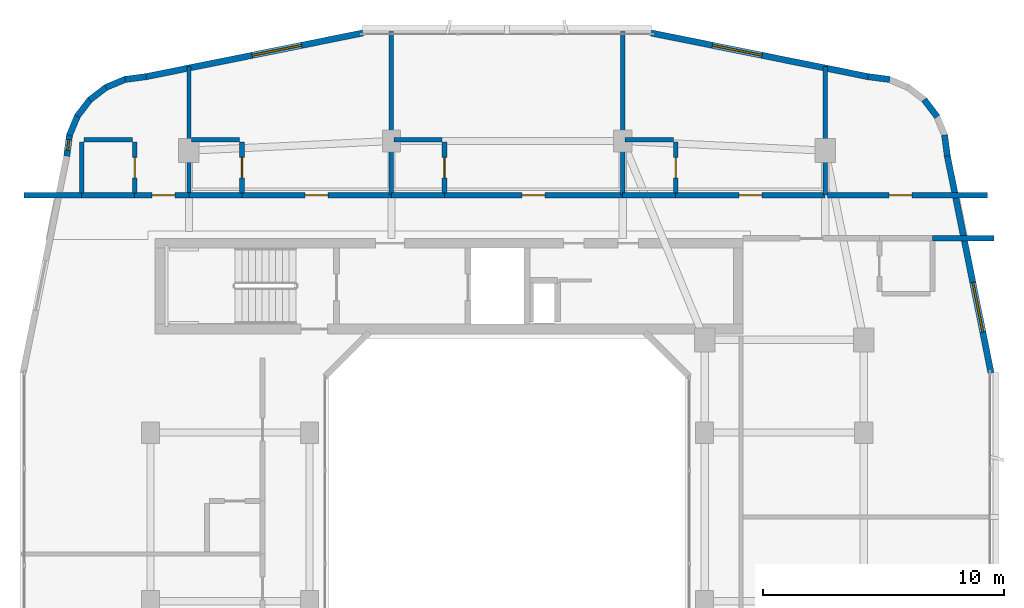
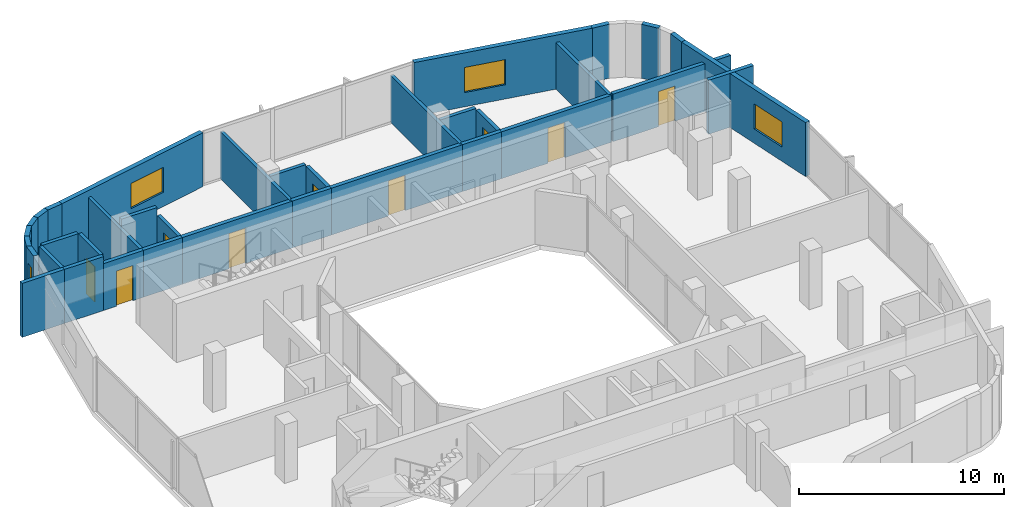
# One storey, part 9 of 14: 36 walls, 9 doors, 4 windows, 13 openings.
"""IFC4 building model written with IfcOpenShell, lengths in metres."""

from ifc_helpers import new_model, si_unit, derived_unit, direction, frame, frame_2d, origin, place, context, subcontext, project, spatial, rectangle, extrude, material, layer, layer_set, type_object, element, fill, save


model = new_model("IFC4")

# Units and contexts
model_context = context("Model", 3, precision=1e-05, world=origin(), true_north=direction((0.0, 1.0)))
body_context = subcontext(model_context, "Body", "Model", "MODEL_VIEW")
ifc_project = project(units=[si_unit("LENGTHUNIT", "METRE"), si_unit("AREAUNIT", "SQUARE_METRE"), si_unit("VOLUMEUNIT", "CUBIC_METRE"), si_unit("PLANEANGLEUNIT", "RADIAN"), si_unit("MASSUNIT", "GRAM", prefix="KILO"), derived_unit("THERMALTRANSMITTANCEUNIT", [(si_unit("POWERUNIT", "WATT"), 1), (si_unit("LENGTHUNIT", "METRE"), -2), (si_unit("THERMODYNAMICTEMPERATUREUNIT", "KELVIN"), -1)])], contexts=[model_context])

# Site, building, storey
site_placement = place(None, origin())
site = spatial("IfcSite", under=ifc_project, at=site_placement, CompositionType="ELEMENT")
building_placement = place(site_placement, origin())
building = spatial("IfcBuilding", under=site, at=building_placement, Name="Kivonza Crest Hotel", CompositionType="ELEMENT")
storey_placement = place(building_placement, frame((0.0, 0.0, 152.0)))
storey = spatial("IfcBuildingStorey", under=building, at=storey_placement, Name="L41", CompositionType="ELEMENT", Elevation=152.0)

# Walls
ifc_material_1 = material(Name="High-density acoustic masonry inter-tenancy wall", Category="masonry")
ifc_layer_1 = layer(ifc_material_1, 0.179931640625)
ifc_layer_set_1 = layer_set([ifc_layer_1], Name="High-density acoustic masonry inter-tenancy wall")
wall_type_1 = type_object("IfcWallType", Name="WL-ACOU-180", PredefinedType="SOLIDWALL", material=ifc_layer_set_1)
wall_1_placement = place(storey_placement, frame((7.800048828125, 38.35009765625, 0.0), z_axis=(0.0, 0.0, 1.0), x_axis=(0.0, 1.0, 0.0)))
element("IfcWall", 1, at=wall_1_placement, inside=storey, type_object=wall_type_1, Name="L41 interior partition WA-L41-T1N-DIV1", PredefinedType="SOLIDWALL", context=body_context, shape_type="SweptSolid", body=[
    extrude(rectangle(XDim=5.350830078125, YDim=0.179931640625, at=frame_2d((2.67529296875, 0.0))), origin(), (0.0, 0.0, 1.0), 2.794921875),
])
for number, where, z_axis, x_axis, name in (
    (2, (16.199951171875, 38.35009765625, 0.0), (0.0, 0.0, 1.0), (0.0, 1.0, 0.0), "L41 interior partition WA-L41-T1N-DIV2"),
    (3, (25.800048828125, 38.35009765625, 0.0), (0.0, 0.0, 1.0), (0.0, 1.0, 0.0), "L41 interior partition WA-L41-T1N-DIV3"),
):
    element("IfcWall", number, at=place(storey_placement, frame(where, z_axis=z_axis, x_axis=x_axis)), inside=storey, type_object=wall_type_1, Name=name, PredefinedType="SOLIDWALL", context=body_context, shape_type="SweptSolid", body=[
        extrude(rectangle(XDim=6.789794921875, YDim=0.179931640625, at=frame_2d((3.39501953125, 0.0))), origin(), (0.0, 0.0, 1.0), 2.794921875),
    ])
wall_2_placement = place(storey_placement, frame((34.199951171875, 38.35009765625, 0.0), z_axis=(0.0, 0.0, 1.0), x_axis=(0.0, 1.0, 0.0)))
element("IfcWall", 4, at=wall_2_placement, inside=storey, type_object=wall_type_1, Name="L41 interior partition WA-L41-T1N-DIV4", PredefinedType="SOLIDWALL", context=body_context, shape_type="SweptSolid", body=[
    extrude(rectangle(XDim=5.350830078125, YDim=0.179931640625, at=frame_2d((2.67529296875, 0.0))), origin(), (0.0, 0.0, 1.0), 2.794921875),
])
ifc_material_2 = material(Name="Autoclaved aerated concrete blockwork", Category="masonry")
ifc_layer_2 = layer(ifc_material_2, 0.219970703125)
ifc_layer_set_2 = layer_set([ifc_layer_2], Name="Autoclaved aerated concrete blockwork")
wall_type_2 = type_object("IfcWallType", Name="WL-ACOU-220", PredefinedType="SOLIDWALL", material=ifc_layer_set_2)
wall_3_placement = place(storey_placement, frame((0.9599609375, 38.35009765625, 0.0), z_axis=(0.0, 0.0, 1.0), x_axis=(1.0, 0.0, 0.0)))
element("IfcWall", 5, at=wall_3_placement, inside=storey, type_object=wall_type_2, Name="L41 interior partition WA-L41-N01-XCORR", PredefinedType="SOLIDWALL", context=body_context, shape_type="SweptSolid", body=[
    extrude(rectangle(XDim=2.39013671875, YDim=0.219970703125, at=frame_2d((1.195068359375, 0.0))), origin(), (0.0, 0.0, 1.0), 3.219970703125),
])
wall_4_placement = place(storey_placement, frame((3.35009765625, 38.35009765625, 0.0), z_axis=(0.0, 0.0, 1.0), x_axis=(1.0, 0.0, 0.0)))
element("IfcWall", 6, at=wall_4_placement, inside=storey, type_object=wall_type_2, Name="L41 interior partition WA-L41-N01-BCORR", PredefinedType="SOLIDWALL", context=body_context, shape_type="SweptSolid", body=[
    extrude(rectangle(XDim=2.199951171875, YDim=0.219970703125, at=frame_2d((1.10009765625, 0.0))), origin(), (0.0, 0.0, 1.0), 3.219970703125),
])

# Wall, opening, door
wall_5_placement = place(storey_placement, frame((5.550048828125, 38.35009765625, 0.0), z_axis=(0.0, 0.0, 1.0), x_axis=(1.0, 0.0, 0.0)))
wall_5 = element("IfcWall", 7, at=wall_5_placement, inside=storey, type_object=wall_type_2, Name="L41 interior partition WA-L41-N01-MCORR", PredefinedType="SOLIDWALL", context=body_context, shape_type="SweptSolid", body=[
    extrude(rectangle(XDim=2.25, YDim=0.219970703125, at=frame_2d((1.125, 0.0))), origin(), (0.0, 0.0, 1.0), 2.794921875),
])
opening_1_placement = place(wall_5_placement, frame((0.719970703125, 0.0, 0.0)))
opening_1 = element("IfcOpeningElement", 8, at=opening_1_placement, cuts=wall_5, Name="Opening DU-60", PredefinedType="OPENING", context=body_context, shape_type="SweptSolid", body=[
    extrude(rectangle(XDim=0.949951171875, YDim=2.10009765625, at=frame_2d((0.47509765625, 1.050048828125))), frame((0.0, 0.1201171875, 0.0), z_axis=(0.0, -1.0, 0.0), x_axis=(1.0, 0.0, 0.0)), (0.0, 0.0, 1.0), 0.239990234375),
])
ifc_material_3 = material(Name="Hardwood timber oak", Category="wood")
door_type_1 = type_object("IfcDoorType", Name="DR-UNIT-950", OperationType="NOTDEFINED", PredefinedType="DOOR", material=ifc_material_3)
door_1_placement = place(opening_1_placement, origin())
door_1 = element("IfcDoor", 9, at=door_1_placement, inside=storey, type_object=door_type_1, Name="L41 N01 guest unit entrance fire door", OperationType="SINGLE_SWING_LEFT", OverallHeight=2.10009765625, OverallWidth=0.949951171875, PredefinedType="DOOR", context=body_context, shape_type="SweptSolid", body=[
    extrude(rectangle(XDim=0.949951171875, YDim=2.10009765625, at=frame_2d((0.47509765625, 1.050048828125))), frame((0.0, 0.02490234375, 0.0), z_axis=(0.0, -1.0, 0.0), x_axis=(1.0, 0.0, 0.0)), (0.0, 0.0, 1.0), 0.050048828125),
])
fill(opening_1, door_1)

# Wall
wall_6_placement = place(storey_placement, frame((7.800048828125, 38.35009765625, 0.0), z_axis=(0.0, 0.0, 1.0), x_axis=(1.0, 0.0, 0.0)))
element("IfcWall", 10, at=wall_6_placement, inside=storey, type_object=wall_type_2, Name="L41 interior partition WA-L41-N02-BCORR", PredefinedType="SOLIDWALL", context=body_context, shape_type="SweptSolid", body=[
    extrude(rectangle(XDim=2.199951171875, YDim=0.219970703125, at=frame_2d((1.10009765625, 0.0))), origin(), (0.0, 0.0, 1.0), 2.794921875),
])

# Wall, opening, door
wall_7_placement = place(storey_placement, frame((10.0, 38.35009765625, 0.0), z_axis=(0.0, 0.0, 1.0), x_axis=(1.0, 0.0, 0.0)))
wall_7 = element("IfcWall", 11, at=wall_7_placement, inside=storey, type_object=wall_type_2, Name="L41 interior partition WA-L41-N02-MCORR", PredefinedType="SOLIDWALL", context=body_context, shape_type="SweptSolid", body=[
    extrude(rectangle(XDim=6.199951171875, YDim=0.219970703125, at=frame_2d((3.10009765625, 0.0))), origin(), (0.0, 0.0, 1.0), 2.794921875),
])
opening_2_placement = place(wall_7_placement, frame((2.625, 0.0, 0.0)))
opening_2 = element("IfcOpeningElement", 12, at=opening_2_placement, cuts=wall_7, Name="Opening DU-60", PredefinedType="OPENING", context=body_context, shape_type="SweptSolid", body=[
    extrude(rectangle(XDim=0.949951171875, YDim=2.10009765625, at=frame_2d((0.47509765625, 1.050048828125))), frame((0.0, 0.1201171875, 0.0), z_axis=(0.0, -1.0, 0.0), x_axis=(1.0, 0.0, 0.0)), (0.0, 0.0, 1.0), 0.239990234375),
])
door_2_placement = place(opening_2_placement, origin())
door_2 = element("IfcDoor", 13, at=door_2_placement, inside=storey, type_object=door_type_1, Name="L41 N02 guest unit entrance fire door", OperationType="SINGLE_SWING_RIGHT", OverallHeight=2.10009765625, OverallWidth=0.949951171875, PredefinedType="DOOR", context=body_context, shape_type="SweptSolid", body=[
    extrude(rectangle(XDim=0.949951171875, YDim=2.10009765625, at=frame_2d((0.47509765625, 1.050048828125))), frame((0.0, 0.02490234375, 0.0), z_axis=(0.0, -1.0, 0.0), x_axis=(1.0, 0.0, 0.0)), (0.0, 0.0, 1.0), 0.050048828125),
])
fill(opening_2, door_2)

# Wall
wall_8_placement = place(storey_placement, frame((16.199951171875, 38.35009765625, 0.0), z_axis=(0.0, 0.0, 1.0), x_axis=(1.0, 0.0, 0.0)))
element("IfcWall", 14, at=wall_8_placement, inside=storey, type_object=wall_type_2, Name="L41 interior partition WA-L41-N03-BCORR", PredefinedType="SOLIDWALL", context=body_context, shape_type="SweptSolid", body=[
    extrude(rectangle(XDim=2.199951171875, YDim=0.219970703125, at=frame_2d((1.10009765625, 0.0))), origin(), (0.0, 0.0, 1.0), 2.794921875),
])

# Wall, opening, door
wall_9_placement = place(storey_placement, frame((18.39990234375, 38.35009765625, 0.0), z_axis=(0.0, 0.0, 1.0), x_axis=(1.0, 0.0, 0.0)))
wall_9 = element("IfcWall", 15, at=wall_9_placement, inside=storey, type_object=wall_type_2, Name="L41 interior partition WA-L41-N03-MCORR", PredefinedType="SOLIDWALL", context=body_context, shape_type="SweptSolid", body=[
    extrude(rectangle(XDim=7.400146484375, YDim=0.219970703125, at=frame_2d((3.7001953125, 0.0))), origin(), (0.0, 0.0, 1.0), 2.794921875),
])
opening_3_placement = place(wall_9_placement, frame((3.22509765625, 0.0, 0.0)))
opening_3 = element("IfcOpeningElement", 16, at=opening_3_placement, cuts=wall_9, Name="Opening DU-60", PredefinedType="OPENING", context=body_context, shape_type="SweptSolid", body=[
    extrude(rectangle(XDim=0.949951171875, YDim=2.10009765625, at=frame_2d((0.47509765625, 1.050048828125))), frame((0.0, 0.1201171875, 0.0), z_axis=(0.0, -1.0, 0.0), x_axis=(1.0, 0.0, 0.0)), (0.0, 0.0, 1.0), 0.239990234375),
])
door_3_placement = place(opening_3_placement, origin())
door_3 = element("IfcDoor", 17, at=door_3_placement, inside=storey, type_object=door_type_1, Name="L41 N03 guest unit entrance fire door", OperationType="SINGLE_SWING_LEFT", OverallHeight=2.10009765625, OverallWidth=0.949951171875, PredefinedType="DOOR", context=body_context, shape_type="SweptSolid", body=[
    extrude(rectangle(XDim=0.949951171875, YDim=2.10009765625, at=frame_2d((0.47509765625, 1.050048828125))), frame((0.0, 0.02490234375, 0.0), z_axis=(0.0, -1.0, 0.0), x_axis=(1.0, 0.0, 0.0)), (0.0, 0.0, 1.0), 0.050048828125),
])
fill(opening_3, door_3)

# Wall
wall_10_placement = place(storey_placement, frame((25.800048828125, 38.35009765625, 0.0), z_axis=(0.0, 0.0, 1.0), x_axis=(1.0, 0.0, 0.0)))
element("IfcWall", 18, at=wall_10_placement, inside=storey, type_object=wall_type_2, Name="L41 interior partition WA-L41-N04-BCORR", PredefinedType="SOLIDWALL", context=body_context, shape_type="SweptSolid", body=[
    extrude(rectangle(XDim=2.199951171875, YDim=0.219970703125, at=frame_2d((1.10009765625, 0.0))), origin(), (0.0, 0.0, 1.0), 2.794921875),
])

# Wall, opening, door
wall_11_placement = place(storey_placement, frame((28.0, 38.35009765625, 0.0), z_axis=(0.0, 0.0, 1.0), x_axis=(1.0, 0.0, 0.0)))
wall_11 = element("IfcWall", 19, at=wall_11_placement, inside=storey, type_object=wall_type_2, Name="L41 interior partition WA-L41-N04-MCORR", PredefinedType="SOLIDWALL", context=body_context, shape_type="SweptSolid", body=[
    extrude(rectangle(XDim=6.199951171875, YDim=0.219970703125, at=frame_2d((3.10009765625, 0.0))), origin(), (0.0, 0.0, 1.0), 2.794921875),
])
opening_4_placement = place(wall_11_placement, frame((2.625, 0.0, 0.0)))
opening_4 = element("IfcOpeningElement", 20, at=opening_4_placement, cuts=wall_11, Name="Opening DU-60", PredefinedType="OPENING", context=body_context, shape_type="SweptSolid", body=[
    extrude(rectangle(XDim=0.949951171875, YDim=2.10009765625, at=frame_2d((0.47509765625, 1.050048828125))), frame((0.0, 0.1201171875, 0.0), z_axis=(0.0, -1.0, 0.0), x_axis=(1.0, 0.0, 0.0)), (0.0, 0.0, 1.0), 0.239990234375),
])
door_4_placement = place(opening_4_placement, origin())
door_4 = element("IfcDoor", 21, at=door_4_placement, inside=storey, type_object=door_type_1, Name="L41 N04 guest unit entrance fire door", OperationType="SINGLE_SWING_RIGHT", OverallHeight=2.10009765625, OverallWidth=0.949951171875, PredefinedType="DOOR", context=body_context, shape_type="SweptSolid", body=[
    extrude(rectangle(XDim=0.949951171875, YDim=2.10009765625, at=frame_2d((0.47509765625, 1.050048828125))), frame((0.0, 0.02490234375, 0.0), z_axis=(0.0, -1.0, 0.0), x_axis=(1.0, 0.0, 0.0)), (0.0, 0.0, 1.0), 0.050048828125),
])
fill(opening_4, door_4)

wall_12_placement = place(storey_placement, frame((34.300048828125, 38.35009765625, 0.0), z_axis=(0.0, 0.0, 1.0), x_axis=(1.0, 0.0, 0.0)))
wall_12 = element("IfcWall", 22, at=wall_12_placement, inside=storey, type_object=wall_type_2, Name="L41 interior partition WA-L41-N-AMEN-S", PredefinedType="SOLIDWALL", context=body_context, shape_type="SweptSolid", body=[
    extrude(rectangle(XDim=6.639892578125, YDim=0.219970703125, at=frame_2d((3.31982421875, 0.0))), origin(), (0.0, 0.0, 1.0), 2.8349609375),
])
opening_5_placement = place(wall_12_placement, frame((2.550048828125, 0.0, 0.0)))
opening_5 = element("IfcOpeningElement", 23, at=opening_5_placement, cuts=wall_12, Name="Opening DF-60S", PredefinedType="OPENING", context=body_context, shape_type="SweptSolid", body=[
    extrude(rectangle(XDim=0.949951171875, YDim=2.10009765625, at=frame_2d((0.47509765625, 1.050048828125))), frame((0.0, 0.1201171875, 0.0), z_axis=(0.0, -1.0, 0.0), x_axis=(1.0, 0.0, 0.0)), (0.0, 0.0, 1.0), 0.239990234375),
])
door_type_2 = type_object("IfcDoorType", Name="DR-FD60-950", OperationType="NOTDEFINED", PredefinedType="DOOR", material=ifc_material_3)
door_5_placement = place(opening_5_placement, origin())
door_5 = element("IfcDoor", 24, at=door_5_placement, inside=storey, type_object=door_type_2, Name="L41 Private Fitness Gym Studio door", OperationType="SINGLE_SWING_LEFT", OverallHeight=2.10009765625, OverallWidth=0.949951171875, PredefinedType="DOOR", context=body_context, shape_type="SweptSolid", body=[
    extrude(rectangle(XDim=0.949951171875, YDim=2.10009765625, at=frame_2d((0.47509765625, 1.050048828125))), frame((0.0, 0.02490234375, 0.0), z_axis=(0.0, -1.0, 0.0), x_axis=(1.0, 0.0, 0.0)), (0.0, 0.0, 1.0), 0.050048828125),
])
fill(opening_5, door_5)

# Wall
wall_13_placement = place(storey_placement, frame((38.64990234375, 36.56005859375, 0.0), z_axis=(0.0, 0.0, 1.0), x_axis=(1.0, 0.0, 0.0)))
element("IfcWall", 25, at=wall_13_placement, inside=storey, type_object=wall_type_2, Name="L41 interior partition WA-L41-EN10-XCORR", PredefinedType="SOLIDWALL", context=body_context, shape_type="SweptSolid", body=[
    extrude(rectangle(XDim=2.550048828125, YDim=0.219970703125, at=frame_2d((1.27490234375, 0.0))), origin(), (0.0, 0.0, 1.0), 3.219970703125),
])

# Wall, opening, window
ifc_material_4 = material(Name="Precast concrete C40/50", Category="concrete")
ifc_layer_3 = layer(ifc_material_4, 0.260009765625)
ifc_layer_set_3 = layer_set([ifc_layer_3], Name="Precast concrete C40/50")
wall_type_3 = type_object("IfcWallType", Name="WL-EXT-260", PredefinedType="STANDARD", material=ifc_layer_set_3)
wall_14_placement = place(storey_placement, frame((41.083984375, 30.97998046875, 0.0), z_axis=(0.0, 0.0, 1.0), x_axis=(-0.197435082048, 0.980315963543, 0.0)))
wall_14 = element("IfcWall", 26, at=wall_14_placement, inside=storey, type_object=wall_type_3, Name="L41 T1 exterior insulated wall 18", PredefinedType="STANDARD", context=body_context, shape_type="SweptSolid", body=[
    extrude(rectangle(XDim=9.1826171875, YDim=0.260009765625, at=frame_2d((4.59130859375, 0.0))), origin(), (0.0, 0.0, 1.0), 3.219970703125),
])
opening_6_placement = place(wall_14_placement, frame((1.73388671875, 0.0, 0.85009765625)))
opening_6 = element("IfcOpeningElement", 27, at=opening_6_placement, cuts=wall_14, Name="Opening WN-04", PredefinedType="OPENING", context=body_context, shape_type="SweptSolid", body=[
    extrude(rectangle(XDim=2.10009765625, YDim=1.5, at=frame_2d((1.050048828125, 0.75))), frame((0.0, 0.14013671875, 0.0), z_axis=(0.0, -1.0, 0.0), x_axis=(1.0, 0.0, 0.0)), (0.0, 0.0, 1.0), 0.280029296875),
])
ifc_material_5 = material(Name="Thermally broken bronze aluminium and low-E double glazing", Category="aluminium")
window_type_1 = type_object("IfcWindowType", Name="WN-210x150", PartitioningType="DOUBLE_PANEL_VERTICAL", PredefinedType="WINDOW", material=ifc_material_5)
window_1_placement = place(opening_6_placement, origin())
window_1 = element("IfcWindow", 28, at=window_1_placement, inside=storey, type_object=window_type_1, Name="L41 T1 facade window 18", OverallHeight=1.5, OverallWidth=2.10009765625, PartitioningType="SINGLE_PANEL", PredefinedType="WINDOW", context=body_context, shape_type="SweptSolid", body=[
    extrude(rectangle(XDim=2.10009765625, YDim=1.5, at=frame_2d((1.050048828125, 0.75))), frame((0.0, 0.030029296875, 0.0), z_axis=(0.0, -1.0, 0.0), x_axis=(1.0, 0.0, 0.0)), (0.0, 0.0, 1.0), 0.06005859375),
])
fill(opening_6, window_1)

# Walls
wall_15_placement = place(storey_placement, frame((39.27197265625, 39.97509765625, 0.0), z_axis=(0.0, 0.0, 1.0), x_axis=(-0.130953706898, 0.991388484223, 0.0)))
element("IfcWall", 29, at=wall_15_placement, inside=storey, type_object=wall_type_3, Name="L41 T1 exterior insulated wall 19", PredefinedType="STANDARD", context=body_context, shape_type="SweptSolid", body=[
    extrude(rectangle(XDim=0.885498046875, YDim=0.260009765625, at=frame_2d((0.44287109375, 0.0))), origin(), (0.0, 0.0, 1.0), 3.219970703125),
])
wall_16_placement = place(storey_placement, frame((38.85595703125, 41.60107421875, 0.0), z_axis=(0.0, 0.0, 1.0), x_axis=(-0.608624690463, 0.793458244748, 0.0)))
element("IfcWall", 30, at=wall_16_placement, inside=storey, type_object=wall_type_3, Name="L41 T1 exterior insulated wall 21", PredefinedType="STANDARD", context=body_context, shape_type="SweptSolid", body=[
    extrude(rectangle(XDim=0.902099609375, YDim=0.260009765625, at=frame_2d((0.451171875, 0.0))), origin(), (0.0, 0.0, 1.0), 3.219970703125),
])
wall_17_placement = place(storey_placement, frame((36.887939453125, 43.152099609375, 0.0), z_axis=(0.0, 0.0, 1.0), x_axis=(-0.991487658083, 0.130200706103, 0.0)))
element("IfcWall", 31, at=wall_17_placement, inside=storey, type_object=wall_type_3, Name="L41 T1 exterior insulated wall 24", PredefinedType="STANDARD", context=body_context, shape_type="SweptSolid", body=[
    extrude(rectangle(XDim=0.920654296875, YDim=0.260009765625, at=frame_2d((0.46044921875, 0.0))), origin(), (0.0, 0.0, 1.0), 3.219970703125),
])

# Wall, opening, window
wall_18_placement = place(storey_placement, frame((35.98193359375, 43.27099609375, 0.0), z_axis=(0.0, 0.0, 1.0), x_axis=(-0.980315963543, 0.197435082048, 0.0)))
wall_18 = element("IfcWall", 32, at=wall_18_placement, inside=storey, type_object=wall_type_3, Name="L41 T1 exterior insulated wall 25", PredefinedType="STANDARD", context=body_context, shape_type="SweptSolid", body=[
    extrude(rectangle(XDim=9.1826171875, YDim=0.260009765625, at=frame_2d((4.59130859375, 0.0))), origin(), (0.0, 0.0, 1.0), 3.219970703125),
])
opening_7_placement = place(wall_18_placement, frame((4.487060546875, 0.0, 0.85009765625)))
opening_7 = element("IfcOpeningElement", 33, at=opening_7_placement, cuts=wall_18, Name="Opening WN-04", PredefinedType="OPENING", context=body_context, shape_type="SweptSolid", body=[
    extrude(rectangle(XDim=2.10009765625, YDim=1.5, at=frame_2d((1.050048828125, 0.75))), frame((0.0, 0.14013671875, 0.0), z_axis=(0.0, -1.0, 0.0), x_axis=(1.0, 0.0, 0.0)), (0.0, 0.0, 1.0), 0.280029296875),
])
window_2_placement = place(opening_7_placement, origin())
window_2 = element("IfcWindow", 34, at=window_2_placement, inside=storey, type_object=window_type_1, Name="L41 T1 facade window 25", OverallHeight=1.5, OverallWidth=2.10009765625, PartitioningType="SINGLE_PANEL", PredefinedType="WINDOW", context=body_context, shape_type="SweptSolid", body=[
    extrude(rectangle(XDim=2.10009765625, YDim=1.5, at=frame_2d((1.050048828125, 0.75))), frame((0.0, 0.030029296875, 0.0), z_axis=(0.0, -1.0, 0.0), x_axis=(1.0, 0.0, 0.0)), (0.0, 0.0, 1.0), 0.06005859375),
])
fill(opening_7, window_2)

wall_19_placement = place(storey_placement, frame((15.02001953125, 45.083984375, 0.0), z_axis=(0.0, 0.0, 1.0), x_axis=(-0.980315963543, -0.197435082048, 0.0)))
wall_19 = element("IfcWall", 35, at=wall_19_placement, inside=storey, type_object=wall_type_3, Name="L41 T1 exterior insulated wall 27", PredefinedType="STANDARD", context=body_context, shape_type="SweptSolid", body=[
    extrude(rectangle(XDim=9.1826171875, YDim=0.260009765625, at=frame_2d((4.59130859375, 0.0))), origin(), (0.0, 0.0, 1.0), 3.219970703125),
])
opening_8_placement = place(wall_19_placement, frame((2.594970703125, 0.0, 0.85009765625)))
opening_8 = element("IfcOpeningElement", 36, at=opening_8_placement, cuts=wall_19, Name="Opening WN-04", PredefinedType="OPENING", context=body_context, shape_type="SweptSolid", body=[
    extrude(rectangle(XDim=2.10009765625, YDim=1.5, at=frame_2d((1.050048828125, 0.75))), frame((0.0, 0.14013671875, 0.0), z_axis=(0.0, -1.0, 0.0), x_axis=(1.0, 0.0, 0.0)), (0.0, 0.0, 1.0), 0.280029296875),
])
window_3_placement = place(opening_8_placement, origin())
window_3 = element("IfcWindow", 37, at=window_3_placement, inside=storey, type_object=window_type_1, Name="L41 T1 facade window 27", OverallHeight=1.5, OverallWidth=2.10009765625, PartitioningType="SINGLE_PANEL", PredefinedType="WINDOW", context=body_context, shape_type="SweptSolid", body=[
    extrude(rectangle(XDim=2.10009765625, YDim=1.5, at=frame_2d((1.050048828125, 0.75))), frame((0.0, 0.030029296875, 0.0), z_axis=(0.0, -1.0, 0.0), x_axis=(1.0, 0.0, 0.0)), (0.0, 0.0, 1.0), 0.06005859375),
])
fill(opening_8, window_3)

# Walls
wall_20_placement = place(storey_placement, frame((6.02490234375, 43.27197265625, 0.0), z_axis=(0.0, 0.0, 1.0), x_axis=(-0.991388484223, -0.130953706898, 0.0)))
element("IfcWall", 38, at=wall_20_placement, inside=storey, type_object=wall_type_3, Name="L41 T1 exterior insulated wall 28", PredefinedType="STANDARD", context=body_context, shape_type="SweptSolid", body=[
    extrude(rectangle(XDim=0.885498046875, YDim=0.260009765625, at=frame_2d((0.44287109375, 0.0))), origin(), (0.0, 0.0, 1.0), 3.219970703125),
])
wall_21_placement = place(storey_placement, frame((5.193115234375, 43.174072265625, 0.0), z_axis=(0.0, 0.0, 1.0), x_axis=(-0.923627776508, -0.383290660547, 0.0)))
element("IfcWall", 39, at=wall_21_placement, inside=storey, type_object=wall_type_3, Name="L41 T1 exterior insulated wall 29", PredefinedType="STANDARD", context=body_context, shape_type="SweptSolid", body=[
    extrude(rectangle(XDim=0.9033203125, YDim=0.260009765625, at=frame_2d((0.45166015625, 0.0))), origin(), (0.0, 0.0, 1.0), 3.219970703125),
])
wall_22_placement = place(storey_placement, frame((4.39892578125, 42.85595703125, 0.0), z_axis=(0.0, 0.0, 1.0), x_axis=(-0.793458244748, -0.608624690463, 0.0)))
element("IfcWall", 40, at=wall_22_placement, inside=storey, type_object=wall_type_3, Name="L41 T1 exterior insulated wall 30", PredefinedType="STANDARD", context=body_context, shape_type="SweptSolid", body=[
    extrude(rectangle(XDim=0.902099609375, YDim=0.260009765625, at=frame_2d((0.451171875, 0.0))), origin(), (0.0, 0.0, 1.0), 3.219970703125),
])
wall_23_placement = place(storey_placement, frame((3.714111328125, 42.344970703125, 0.0), z_axis=(0.0, 0.0, 1.0), x_axis=(-0.608494022858, -0.793558456666, 0.0)))
element("IfcWall", 41, at=wall_23_placement, inside=storey, type_object=wall_type_3, Name="L41 T1 exterior insulated wall 31", PredefinedType="STANDARD", context=body_context, shape_type="SweptSolid", body=[
    extrude(rectangle(XDim=0.90234375, YDim=0.260009765625, at=frame_2d((0.451171875, 0.0))), origin(), (0.0, 0.0, 1.0), 3.219970703125),
])
wall_24_placement = place(storey_placement, frame((3.18603515625, 41.673095703125, 0.0), z_axis=(0.0, 0.0, 1.0), x_axis=(-0.383155708213, -0.923683767999, 0.0)))
element("IfcWall", 42, at=wall_24_placement, inside=storey, type_object=wall_type_3, Name="L41 T1 exterior insulated wall 32", PredefinedType="STANDARD", context=body_context, shape_type="SweptSolid", body=[
    extrude(rectangle(XDim=0.90283203125, YDim=0.260009765625, at=frame_2d((0.451416015625, 0.0))), origin(), (0.0, 0.0, 1.0), 3.219970703125),
])

# Wall, opening, window
wall_25_placement = place(storey_placement, frame((2.847900390625, 40.887939453125, 0.0), z_axis=(0.0, 0.0, 1.0), x_axis=(-0.130200706103, -0.991487658083, 0.0)))
wall_25 = element("IfcWall", 43, at=wall_25_placement, inside=storey, type_object=wall_type_3, Name="L41 T1 exterior insulated wall 33", PredefinedType="STANDARD", context=body_context, shape_type="SweptSolid", body=[
    extrude(rectangle(XDim=0.920654296875, YDim=0.260009765625, at=frame_2d((0.46044921875, 0.0))), origin(), (0.0, 0.0, 1.0), 3.219970703125),
])
opening_9_placement = place(wall_25_placement, frame((0.235107421875, 0.0, 0.85009765625)))
opening_9 = element("IfcOpeningElement", 44, at=opening_9_placement, cuts=wall_25, Name="Opening WN-11", PredefinedType="OPENING", context=body_context, shape_type="SweptSolid", body=[
    extrude(rectangle(XDim=0.449951171875, YDim=1.5, at=frame_2d((0.22509765625, 0.75))), frame((0.0, 0.14013671875, 0.0), z_axis=(0.0, -1.0, 0.0), x_axis=(1.0, 0.0, 0.0)), (0.0, 0.0, 1.0), 0.280029296875),
])
window_type_2 = type_object("IfcWindowType", Name="WN-045x150", PartitioningType="SINGLE_PANEL", PredefinedType="WINDOW", material=ifc_material_5)
window_4_placement = place(opening_9_placement, origin())
window_4 = element("IfcWindow", 45, at=window_4_placement, inside=storey, type_object=window_type_2, Name="L41 corner vision window 1", OverallHeight=1.5, OverallWidth=0.449951171875, PartitioningType="SINGLE_PANEL", PredefinedType="WINDOW", context=body_context, shape_type="SweptSolid", body=[
    extrude(rectangle(XDim=0.449951171875, YDim=1.5, at=frame_2d((0.22509765625, 0.75))), frame((0.0, 0.030029296875, 0.0), z_axis=(0.0, -1.0, 0.0), x_axis=(1.0, 0.0, 0.0)), (0.0, 0.0, 1.0), 0.06005859375),
])
fill(opening_9, window_4)

# Wall, opening, door
ifc_material_6 = material(Name="Moisture-resistant plumbing chase partition wall", Category="gypsum")
ifc_layer_4 = layer(ifc_material_6, 0.199951171875)
ifc_layer_set_4 = layer_set([ifc_layer_4], Name="Moisture-resistant plumbing chase partition wall")
wall_type_4 = type_object("IfcWallType", Name="WL-PLUMB-200", PredefinedType="PLUMBINGWALL", material=ifc_layer_set_4)
wall_26_placement = place(storey_placement, frame((5.550048828125, 38.449951171875, 0.0), z_axis=(0.0, 0.0, 1.0), x_axis=(0.0, 1.0, 0.0)))
wall_26 = element("IfcWall", 46, at=wall_26_placement, inside=storey, type_object=wall_type_4, Name="L41 interior partition WW-L41-N01-BV", PredefinedType="PLUMBINGWALL", context=body_context, shape_type="SweptSolid", body=[
    extrude(rectangle(XDim=2.10009765625, YDim=0.199951171875, at=frame_2d((1.050048828125, 0.0))), origin(), (0.0, 0.0, 1.0), 3.219970703125),
])
opening_10_placement = place(wall_26_placement, frame((0.625, 0.0, 0.0)))
opening_10 = element("IfcOpeningElement", 47, at=opening_10_placement, cuts=wall_26, Name="Opening DI-85", PredefinedType="OPENING", context=body_context, shape_type="SweptSolid", body=[
    extrude(rectangle(XDim=0.85009765625, YDim=2.10009765625, at=frame_2d((0.425048828125, 1.050048828125))), frame((0.0, 0.10986328125, 0.0), z_axis=(0.0, -1.0, 0.0), x_axis=(1.0, 0.0, 0.0)), (0.0, 0.0, 1.0), 0.219970703125),
])
door_type_3 = type_object("IfcDoorType", Name="DR-INT-850", OperationType="NOTDEFINED", PredefinedType="DOOR", material=ifc_material_3)
door_6_placement = place(opening_10_placement, frame((0.85009765625, 0.0, 0.0), z_axis=(0.0, 0.0, 1.0), x_axis=(-1.0, 0.0, 0.0)))
door_6 = element("IfcDoor", 48, at=door_6_placement, inside=storey, type_object=door_type_3, Name="L41 N01 en-suite bathroom door", OperationType="SINGLE_SWING_RIGHT", OverallHeight=2.10009765625, OverallWidth=0.85009765625, PredefinedType="DOOR", context=body_context, shape_type="SweptSolid", body=[
    extrude(rectangle(XDim=0.85009765625, YDim=2.10009765625, at=frame_2d((0.425048828125, 1.050048828125))), frame((0.0, 0.02490234375, 0.0), z_axis=(0.0, -1.0, 0.0), x_axis=(1.0, 0.0, 0.0)), (0.0, 0.0, 1.0), 0.050048828125),
])
fill(opening_10, door_6)

# Walls
wall_27_placement = place(storey_placement, frame((3.449951171875, 40.64990234375, 0.0), z_axis=(0.0, 0.0, 1.0), x_axis=(1.0, 0.0, 0.0)))
element("IfcWall", 49, at=wall_27_placement, inside=storey, type_object=wall_type_4, Name="L41 interior partition WW-L41-N01-BH", PredefinedType="PLUMBINGWALL", context=body_context, shape_type="SweptSolid", body=[
    extrude(rectangle(XDim=2.0, YDim=0.199951171875, at=frame_2d((1.0, 0.0))), origin(), (0.0, 0.0, 1.0), 3.219970703125),
])
wall_28_placement = place(storey_placement, frame((3.35009765625, 38.449951171875, 0.0), z_axis=(0.0, 0.0, 1.0), x_axis=(0.0, 1.0, 0.0)))
element("IfcWall", 50, at=wall_28_placement, inside=storey, type_object=wall_type_4, Name="L41 interior partition WW-L41-N01-BVW", PredefinedType="PLUMBINGWALL", context=body_context, shape_type="SweptSolid", body=[
    extrude(rectangle(XDim=2.10009765625, YDim=0.199951171875, at=frame_2d((1.050048828125, 0.0))), origin(), (0.0, 0.0, 1.0), 3.219970703125),
])

# Wall, opening, door
wall_29_placement = place(storey_placement, frame((10.0, 38.449951171875, 0.0), z_axis=(0.0, 0.0, 1.0), x_axis=(0.0, 1.0, 0.0)))
wall_29 = element("IfcWall", 51, at=wall_29_placement, inside=storey, type_object=wall_type_4, Name="L41 interior partition WW-L41-N02-BV", PredefinedType="PLUMBINGWALL", context=body_context, shape_type="SweptSolid", body=[
    extrude(rectangle(XDim=2.10009765625, YDim=0.199951171875, at=frame_2d((1.050048828125, 0.0))), origin(), (0.0, 0.0, 1.0), 2.7451171875),
])
opening_11_placement = place(wall_29_placement, frame((0.625, 0.0, 0.0)))
opening_11 = element("IfcOpeningElement", 52, at=opening_11_placement, cuts=wall_29, Name="Opening DI-85", PredefinedType="OPENING", context=body_context, shape_type="SweptSolid", body=[
    extrude(rectangle(XDim=0.85009765625, YDim=2.10009765625, at=frame_2d((0.425048828125, 1.050048828125))), frame((0.0, 0.10986328125, 0.0), z_axis=(0.0, -1.0, 0.0), x_axis=(1.0, 0.0, 0.0)), (0.0, 0.0, 1.0), 0.219970703125),
])
door_7_placement = place(opening_11_placement, frame((0.85009765625, 0.0, 0.0), z_axis=(0.0, 0.0, 1.0), x_axis=(-1.0, 0.0, 0.0)))
door_7 = element("IfcDoor", 53, at=door_7_placement, inside=storey, type_object=door_type_3, Name="L41 N02 en-suite bathroom door", OperationType="SINGLE_SWING_LEFT", OverallHeight=2.10009765625, OverallWidth=0.85009765625, PredefinedType="DOOR", context=body_context, shape_type="SweptSolid", body=[
    extrude(rectangle(XDim=0.85009765625, YDim=2.10009765625, at=frame_2d((0.425048828125, 1.050048828125))), frame((0.0, 0.02490234375, 0.0), z_axis=(0.0, -1.0, 0.0), x_axis=(1.0, 0.0, 0.0)), (0.0, 0.0, 1.0), 0.050048828125),
])
fill(opening_11, door_7)

# Wall
wall_30_placement = place(storey_placement, frame((7.89990234375, 40.64990234375, 0.0), z_axis=(0.0, 0.0, 1.0), x_axis=(1.0, 0.0, 0.0)))
element("IfcWall", 54, at=wall_30_placement, inside=storey, type_object=wall_type_4, Name="L41 interior partition WW-L41-N02-BH", PredefinedType="PLUMBINGWALL", context=body_context, shape_type="SweptSolid", body=[
    extrude(rectangle(XDim=2.0, YDim=0.199951171875, at=frame_2d((1.0, 0.0))), origin(), (0.0, 0.0, 1.0), 3.219970703125),
])

# Wall, opening, door
wall_31_placement = place(storey_placement, frame((18.39990234375, 38.449951171875, 0.0), z_axis=(0.0, 0.0, 1.0), x_axis=(0.0, 1.0, 0.0)))
wall_31 = element("IfcWall", 55, at=wall_31_placement, inside=storey, type_object=wall_type_4, Name="L41 interior partition WW-L41-N03-BV", PredefinedType="PLUMBINGWALL", context=body_context, shape_type="SweptSolid", body=[
    extrude(rectangle(XDim=2.10009765625, YDim=0.199951171875, at=frame_2d((1.050048828125, 0.0))), origin(), (0.0, 0.0, 1.0), 2.7451171875),
])
opening_12_placement = place(wall_31_placement, frame((0.625, 0.0, 0.0)))
opening_12 = element("IfcOpeningElement", 56, at=opening_12_placement, cuts=wall_31, Name="Opening DI-85", PredefinedType="OPENING", context=body_context, shape_type="SweptSolid", body=[
    extrude(rectangle(XDim=0.85009765625, YDim=2.10009765625, at=frame_2d((0.425048828125, 1.050048828125))), frame((0.0, 0.10986328125, 0.0), z_axis=(0.0, -1.0, 0.0), x_axis=(1.0, 0.0, 0.0)), (0.0, 0.0, 1.0), 0.219970703125),
])
door_8_placement = place(opening_12_placement, frame((0.85009765625, 0.0, 0.0), z_axis=(0.0, 0.0, 1.0), x_axis=(-1.0, 0.0, 0.0)))
door_8 = element("IfcDoor", 57, at=door_8_placement, inside=storey, type_object=door_type_3, Name="L41 N03 en-suite bathroom door", OperationType="SINGLE_SWING_RIGHT", OverallHeight=2.10009765625, OverallWidth=0.85009765625, PredefinedType="DOOR", context=body_context, shape_type="SweptSolid", body=[
    extrude(rectangle(XDim=0.85009765625, YDim=2.10009765625, at=frame_2d((0.425048828125, 1.050048828125))), frame((0.0, 0.02490234375, 0.0), z_axis=(0.0, -1.0, 0.0), x_axis=(1.0, 0.0, 0.0)), (0.0, 0.0, 1.0), 0.050048828125),
])
fill(opening_12, door_8)

# Wall
wall_32_placement = place(storey_placement, frame((16.300048828125, 40.64990234375, 0.0), z_axis=(0.0, 0.0, 1.0), x_axis=(1.0, 0.0, 0.0)))
element("IfcWall", 58, at=wall_32_placement, inside=storey, type_object=wall_type_4, Name="L41 interior partition WW-L41-N03-BH", PredefinedType="PLUMBINGWALL", context=body_context, shape_type="SweptSolid", body=[
    extrude(rectangle(XDim=2.0, YDim=0.199951171875, at=frame_2d((1.0, 0.0))), origin(), (0.0, 0.0, 1.0), 2.8349609375),
])

# Wall, opening, door
wall_33_placement = place(storey_placement, frame((28.0, 38.449951171875, 0.0), z_axis=(0.0, 0.0, 1.0), x_axis=(0.0, 1.0, 0.0)))
wall_33 = element("IfcWall", 59, at=wall_33_placement, inside=storey, type_object=wall_type_4, Name="L41 interior partition WW-L41-N04-BV", PredefinedType="PLUMBINGWALL", context=body_context, shape_type="SweptSolid", body=[
    extrude(rectangle(XDim=2.10009765625, YDim=0.199951171875, at=frame_2d((1.050048828125, 0.0))), origin(), (0.0, 0.0, 1.0), 2.7451171875),
])
opening_13_placement = place(wall_33_placement, frame((0.625, 0.0, 0.0)))
opening_13 = element("IfcOpeningElement", 60, at=opening_13_placement, cuts=wall_33, Name="Opening DI-85", PredefinedType="OPENING", context=body_context, shape_type="SweptSolid", body=[
    extrude(rectangle(XDim=0.85009765625, YDim=2.10009765625, at=frame_2d((0.425048828125, 1.050048828125))), frame((0.0, 0.10986328125, 0.0), z_axis=(0.0, -1.0, 0.0), x_axis=(1.0, 0.0, 0.0)), (0.0, 0.0, 1.0), 0.219970703125),
])
door_9_placement = place(opening_13_placement, frame((0.85009765625, 0.0, 0.0), z_axis=(0.0, 0.0, 1.0), x_axis=(-1.0, 0.0, 0.0)))
door_9 = element("IfcDoor", 61, at=door_9_placement, inside=storey, type_object=door_type_3, Name="L41 N04 en-suite bathroom door", OperationType="SINGLE_SWING_LEFT", OverallHeight=2.10009765625, OverallWidth=0.85009765625, PredefinedType="DOOR", context=body_context, shape_type="SweptSolid", body=[
    extrude(rectangle(XDim=0.85009765625, YDim=2.10009765625, at=frame_2d((0.425048828125, 1.050048828125))), frame((0.0, 0.02490234375, 0.0), z_axis=(0.0, -1.0, 0.0), x_axis=(1.0, 0.0, 0.0)), (0.0, 0.0, 1.0), 0.050048828125),
])
fill(opening_13, door_9)

# Wall
wall_34_placement = place(storey_placement, frame((25.89990234375, 40.64990234375, 0.0), z_axis=(0.0, 0.0, 1.0), x_axis=(1.0, 0.0, 0.0)))
element("IfcWall", 62, at=wall_34_placement, inside=storey, type_object=wall_type_4, Name="L41 interior partition WW-L41-N04-BH", PredefinedType="PLUMBINGWALL", context=body_context, shape_type="SweptSolid", body=[
    extrude(rectangle(XDim=2.0, YDim=0.199951171875, at=frame_2d((1.0, 0.0))), origin(), (0.0, 0.0, 1.0), 2.8349609375),
])

save(model, "model.ifc")
